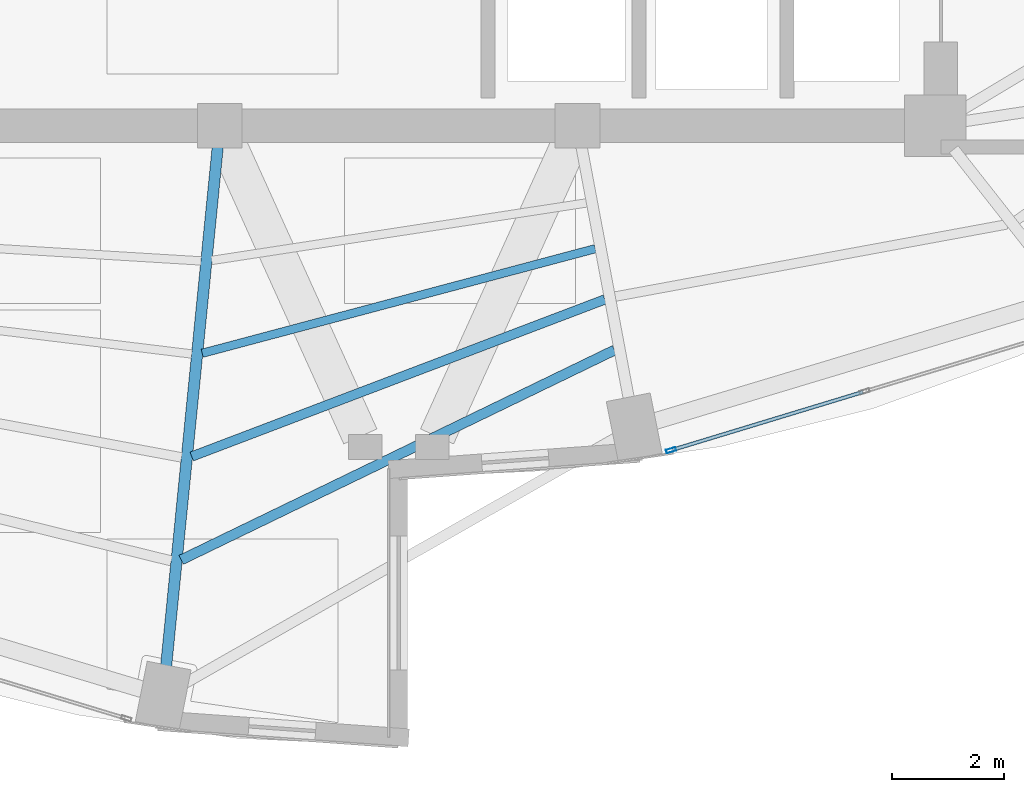
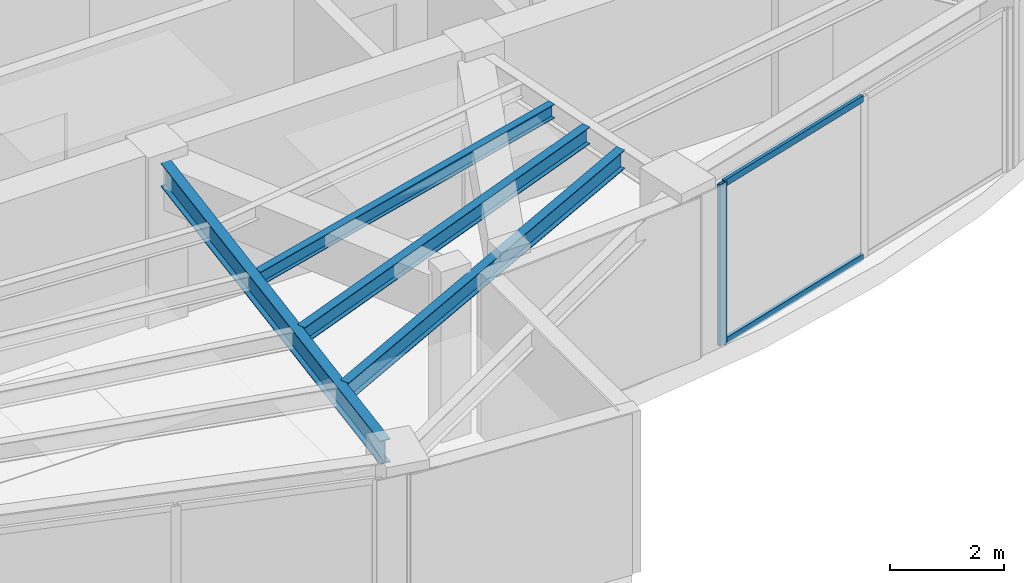
# One storey, part 6 of 23: 4 beams, 3 members, 1 element without a shape of its own.
"""IFC4 building model written with IfcOpenShell, lengths in metres."""

import ifcopenshell
import ifcopenshell.guid

model = None  # the IFC model being written
_history = None  # IfcOwnerHistory: only IFC2X3 demands one
_inside = {}  # id of a spatial element -> (the spatial element, [elements in it])
_under = {}  # id of a project, library or spatial element -> (it, [spatial elements below it])
_declared = {}  # id of a project -> (the project, [libraries it declares])
_typed = {}  # id of a type object -> (the type object, [elements of that type])
_made_of = {}  # id of a material, layer set ... -> (it, [elements and type objects made of it])


def new_model(schema):
    """Start an empty IFC model of exactly this schema.

    Asked for "IFC4X3", IfcOpenShell would pick the latest addendum, in which some entities
    have other attributes; the version numbers below select the first issue.
    IFC2X3 requires an IfcOwnerHistory on every rooted entity: one is made here for all.
    """
    global model, _history
    if schema == "IFC4X3":
        model = ifcopenshell.file(schema_version=(4, 3, 0, 0))
    else:
        model = ifcopenshell.file(schema=schema)
    _inside.clear()
    _under.clear()
    _declared.clear()
    _typed.clear()
    _made_of.clear()
    _history = None
    if model.schema == "IFC2X3":
        org = make("IfcOrganization", Name="unknown")
        user = make(
            "IfcPersonAndOrganization",
            ThePerson=make("IfcPerson", FamilyName="unknown"),
            TheOrganization=org,
        )
        app = make(
            "IfcApplication",
            ApplicationDeveloper=org,
            Version="unknown",
            ApplicationFullName="unknown",
            ApplicationIdentifier="unknown",
        )
        _history = make(
            "IfcOwnerHistory",
            OwningUser=user,
            OwningApplication=app,
            ChangeAction="ADDED",
            CreationDate=0,
        )
    return model


def make(cls, **values):
    """One entity of the class cls with the attributes given. An attribute that is None is left unset."""
    return model.create_entity(
        cls, **{name: value for name, value in values.items() if value is not None}
    )


def rooted(cls, **values):
    """An entity with a GlobalId (a new one), such as an element, a storey or a relation."""
    return make(cls, GlobalId=ifcopenshell.guid.new(), OwnerHistory=_history, **values)


def si_unit(unit_type, name, prefix=None):
    """IfcSIUnit, for example si_unit("LENGTHUNIT", "METRE", prefix="MILLI")."""
    return make("IfcSIUnit", UnitType=unit_type, Prefix=prefix, Name=name)


def assignment(units):
    """IfcUnitAssignment: the units of a project."""
    return None if units is None else make("IfcUnitAssignment", Units=units)


def point(xyz):
    """IfcCartesianPoint."""
    return None if xyz is None else make("IfcCartesianPoint", Coordinates=xyz)


def direction(xyz):
    """IfcDirection."""
    return None if xyz is None else make("IfcDirection", DirectionRatios=xyz)


def frame(location, z_axis=None, x_axis=None):
    """IfcAxis2Placement3D, a coordinate frame: its origin and axes. An axis left out is left unset."""
    return make(
        "IfcAxis2Placement3D",
        Location=point(location),
        Axis=direction(z_axis),
        RefDirection=direction(x_axis),
    )


def frame_2d(location, x_axis=None):
    """IfcAxis2Placement2D, a coordinate frame in the plane: its origin and x axis."""
    return make(
        "IfcAxis2Placement2D", Location=point(location), RefDirection=direction(x_axis)
    )


def origin():
    """The frame at (0, 0, 0) with its axes left unset."""
    return frame((0.0, 0.0, 0.0))


def origin_2d():
    """The frame at (0, 0) in the plane with its x axis left unset."""
    return frame_2d((0.0, 0.0))


def place(relative_to, where):
    """IfcLocalPlacement: puts the frame where relative to a parent placement (None: the world)."""
    return make(
        "IfcLocalPlacement", PlacementRelTo=relative_to, RelativePlacement=where
    )


def context(
    kind, dimensions, precision=None, world=None, true_north=None, identifier=None
):
    """IfcGeometricRepresentationContext, for example the 3D "Model" context."""
    return make(
        "IfcGeometricRepresentationContext",
        ContextIdentifier=identifier,
        ContextType=kind,
        CoordinateSpaceDimension=dimensions,
        Precision=precision,
        WorldCoordinateSystem=world,
        TrueNorth=true_north,
    )


def subcontext(parent, identifier, kind, view, scale=None):
    """IfcGeometricRepresentationSubContext, for example "Body" below "Model"."""
    return make(
        "IfcGeometricRepresentationSubContext",
        ContextIdentifier=identifier,
        ContextType=kind,
        ParentContext=parent,
        TargetScale=scale,
        TargetView=view,
    )


def project(units=None, contexts=None):
    """IfcProject with its units and contexts."""
    return rooted(
        "IfcProject",
        Name="project",
        RepresentationContexts=contexts,
        UnitsInContext=assignment(units),
    )


def spatial(cls, under=None, at=None, **own):
    """A site, building, storey or space (cls), placed at a placement, below another one or the project."""
    s = rooted(cls, ObjectPlacement=at, **own)
    if under is not None:
        _under.setdefault(under.id(), (under, []))[1].append(s)
    return s


def profile(cls, at=None, kind="AREA", **sizes):
    """A parametric profile (cls). Its sizes go by their IFC names, for example OverallWidth=200.0."""
    return make(cls, ProfileType=kind, Position=at, **sizes)


def hollow_rectangle(**sizes):
    """IfcRectangleHollowProfileDef."""
    return profile("IfcRectangleHollowProfileDef", **sizes)


def i_section(**sizes):
    """IfcIShapeProfileDef."""
    return profile("IfcIShapeProfileDef", **sizes)


def extrude(swept, where, along, depth):
    """IfcExtrudedAreaSolid: the profile swept, set in the frame where, extruded along a direction by depth."""
    return make(
        "IfcExtrudedAreaSolid",
        SweptArea=swept,
        Position=where,
        ExtrudedDirection=direction(along),
        Depth=depth,
    )


def shape(context_of_items, identifier, shape_type, items):
    """IfcShapeRepresentation: the items that make up one representation, for example the "Body"."""
    return make(
        "IfcShapeRepresentation",
        ContextOfItems=context_of_items,
        RepresentationIdentifier=identifier,
        RepresentationType=shape_type,
        Items=items,
    )


def material(Name=None, Category=None):
    """IfcMaterial."""
    return make("IfcMaterial", Name=Name, Category=Category)


def layer(
    of_material, thickness, ventilated=None, Name=None, Category=None, Priority=None
):
    """IfcMaterialLayer: one layer of a wall or slab, of a material (None: an air gap)."""
    return make(
        "IfcMaterialLayer",
        Material=of_material,
        LayerThickness=thickness,
        IsVentilated=ventilated,
        Name=Name,
        Category=Category,
        Priority=Priority,
    )


def layer_set(layers, Name=None):
    """IfcMaterialLayerSet."""
    return make("IfcMaterialLayerSet", MaterialLayers=layers, LayerSetName=Name)


def material_profile(
    of_material, cross_section, Name=None, Category=None, Priority=None
):
    """IfcMaterialProfile: a cross section and its material."""
    return make(
        "IfcMaterialProfile",
        Name=Name,
        Material=of_material,
        Profile=cross_section,
        Priority=Priority,
        Category=Category,
    )


def profile_set(profiles, Name=None, composite=None):
    """IfcMaterialProfileSet."""
    return make(
        "IfcMaterialProfileSet",
        Name=Name,
        MaterialProfiles=profiles,
        CompositeProfile=composite,
    )


def made_of(thing, what):
    """Note that an element or type object is made of a material, layer set ...; save() writes the relation."""
    if what is not None:
        _made_of.setdefault(what.id(), (what, []))[1].append(thing)
    return thing


def type_object(cls, material=None, **own):
    """A type object (cls), such as IfcWallType, which elements share."""
    return made_of(rooted(cls, **own), material)


def element(
    cls,
    number,
    at=None,
    inside=None,
    cuts=None,
    type_object=None,
    material=None,
    context=None,
    identifier="Body",
    shape_type=None,
    held_by="IfcProductDefinitionShape",
    body=None,
    shapes=None,
    **own,
):
    """One element of the class cls, such as IfcWall. Its Tag is "e" and its number.

    at: its placement. inside: the storey or other place that contains it. cuts: it is an
    opening in that element (IfcRelVoidsElement). A single representation is given by context,
    identifier, shape_type and body (its items); several are given by shapes. held_by: the class
    of the entity that holds the representations. save() writes the other relations.
    """
    e = rooted(cls, Tag="e%d" % number, ObjectPlacement=at, **own)
    if body is not None:
        shapes = [shape(context, identifier, shape_type, body)]
    if shapes is not None:
        e.Representation = make(held_by, Representations=shapes)
    if inside is not None:
        _inside.setdefault(inside.id(), (inside, []))[1].append(e)
    if cuts is not None:
        rooted(
            "IfcRelVoidsElement", RelatingBuildingElement=cuts, RelatedOpeningElement=e
        )
    if type_object is not None:
        _typed.setdefault(type_object.id(), (type_object, []))[1].append(e)
    return made_of(e, material)


def aggregate(whole, parts):
    """IfcRelAggregates: a whole, such as a stair, and the parts it consists of."""
    return rooted("IfcRelAggregates", RelatingObject=whole, RelatedObjects=parts)


def save(model, path):
    """Write the relations noted so far, then the file.

    IfcRelAggregates (storeys below a building ...), IfcRelContainedInSpatialStructure (elements
    in a storey), IfcRelDefinesByType, IfcRelAssociatesMaterial and IfcRelDeclares: one each for
    every whole, place, type object, material and project.
    """
    for whole, parts in _under.values():
        aggregate(whole, parts)
    for where, things in _inside.values():
        rooted(
            "IfcRelContainedInSpatialStructure",
            RelatedElements=things,
            RelatingStructure=where,
        )
    for kind, things in _typed.values():
        rooted("IfcRelDefinesByType", RelatedObjects=things, RelatingType=kind)
    for what, things in _made_of.values():
        rooted("IfcRelAssociatesMaterial", RelatedObjects=things, RelatingMaterial=what)
    for by, libraries in _declared.values():
        rooted("IfcRelDeclares", RelatingContext=by, RelatedDefinitions=libraries)
    model.write(path)


model = new_model("IFC4")

# Units and contexts
model_context = context("Model", 3, precision=1e-05, world=origin(), true_north=direction((0.0, 1.0)))
body_context = subcontext(model_context, "Body", "Model", "MODEL_VIEW")
ifc_project = project(units=[si_unit("LENGTHUNIT", "METRE"), si_unit("AREAUNIT", "SQUARE_METRE"), si_unit("VOLUMEUNIT", "CUBIC_METRE"), si_unit("PLANEANGLEUNIT", "RADIAN"), si_unit("MASSUNIT", "GRAM", prefix="KILO")], contexts=[model_context])

# Site, building, storey
site_placement = place(None, origin())
site = spatial("IfcSite", under=ifc_project, at=site_placement, CompositionType="ELEMENT")
building_placement = place(site_placement, origin())
building = spatial("IfcBuilding", under=site, at=building_placement, Name="Lazwardi Medical Tower", CompositionType="ELEMENT")
storey_placement = place(building_placement, frame((0.0, 0.0, 194.83203125)))
storey = spatial("IfcBuildingStorey", under=building, at=storey_placement, Name="L50", CompositionType="ELEMENT", Elevation=194.83203125)

# Beams
ifc_material_1 = material(Name="Steel S355", Category="steel")
ifc_material_profile_1 = material_profile(ifc_material_1, i_section(OverallWidth=0.199951171875, OverallDepth=0.5, WebThickness=0.01025390625, FlangeThickness=0.01611328125, at=origin_2d()), Name="IPE 500")
ifc_profile_set_1 = profile_set([ifc_material_profile_1], Name="Steel S355")
beam_type_1 = type_object("IfcBeamType", Name="BM-RG-W3", PredefinedType="BEAM", material=ifc_profile_set_1)
beam_1_placement = place(storey_placement, frame((31.8388671875, 10.734130859375, 3.197998046875), z_axis=(0.098954361922, 0.995091972763, 0.0), x_axis=(-0.995091972763, 0.098954361922, 0.0)))
element("IfcBeam", 1, at=beam_1_placement, inside=storey, type_object=beam_type_1, Name="Radial girder RG-04 R16 L50", PredefinedType="BEAM", context=body_context, shape_type="SweptSolid", body=[
    extrude(i_section(OverallWidth=0.199951171875, OverallDepth=0.5, WebThickness=0.01025390625, FlangeThickness=0.01611328125, at=origin_2d()), origin(), (0.0, 0.0, 1.0), 9.32861328125),
])
ifc_material_profile_2 = material_profile(ifc_material_1, i_section(OverallWidth=0.179931640625, OverallDepth=0.39990234375, WebThickness=0.008544921875, FlangeThickness=0.013427734375, at=origin_2d()), Name="IPE 400")
ifc_profile_set_2 = profile_set([ifc_material_profile_2], Name="Steel S355")
beam_type_2 = type_object("IfcBeamType", Name="BM-SJ-01", PredefinedType="JOIST", material=ifc_profile_set_2)
beam_2_placement = place(storey_placement, frame((32.10888671875, 12.632080078125, 3.248046875), z_axis=(0.900068885459, 0.435747635024, 0.0), x_axis=(-0.435747635024, 0.900068885459, 0.0)))
element("IfcBeam", 2, at=beam_2_placement, inside=storey, type_object=beam_type_2, Name="Secondary joist SJ-01 R1 B16 L50", PredefinedType="JOIST", context=body_context, shape_type="SweptSolid", body=[
    extrude(i_section(OverallWidth=0.179931640625, OverallDepth=0.39990234375, WebThickness=0.008544921875, FlangeThickness=0.013427734375, at=origin_2d()), origin(), (0.0, 0.0, 1.0), 8.612548828125),
])
ifc_material_profile_3 = material_profile(ifc_material_1, i_section(OverallWidth=0.169921875, OverallDepth=0.360107421875, WebThickness=0.008056640625, FlangeThickness=0.0126953125, at=origin_2d()), Name="IPE 360")
ifc_profile_set_3 = profile_set([ifc_material_profile_3], Name="Steel S355")
beam_type_3 = type_object("IfcBeamType", Name="BM-SJ-02", PredefinedType="JOIST", material=ifc_profile_set_3)
beam_3_placement = place(storey_placement, frame((32.296875, 14.48095703125, 3.26806640625), z_axis=(0.934714470268, 0.355399576633, 0.0), x_axis=(-0.355399576633, 0.934714470268, 0.0)))
element("IfcBeam", 3, at=beam_3_placement, inside=storey, type_object=beam_type_3, Name="Secondary joist SJ-02 R2 B16 L50", PredefinedType="JOIST", context=body_context, shape_type="SweptSolid", body=[
    extrude(i_section(OverallWidth=0.169921875, OverallDepth=0.360107421875, WebThickness=0.008056640625, FlangeThickness=0.0126953125, at=origin_2d()), origin(), (0.0, 0.0, 1.0), 7.908203125),
])
ifc_material_profile_4 = material_profile(ifc_material_1, i_section(OverallWidth=0.14990234375, OverallDepth=0.300048828125, WebThickness=0.007080078125, FlangeThickness=0.0107421875, at=origin_2d()), Name="IPE 300")
ifc_profile_set_4 = profile_set([ifc_material_profile_4], Name="Steel S355")
beam_type_4 = type_object("IfcBeamType", Name="BM-SJ-03", PredefinedType="JOIST", material=ifc_profile_set_4)
beam_4_placement = place(storey_placement, frame((32.484619140625, 16.328125, 3.2978515625), z_axis=(0.966369007826, 0.257159368316, 0.0), x_axis=(-0.257159368316, 0.966369007826, 0.0)))
element("IfcBeam", 4, at=beam_4_placement, inside=storey, type_object=beam_type_4, Name="Secondary joist SJ-03 R3 B16 L50", PredefinedType="JOIST", context=body_context, shape_type="SweptSolid", body=[
    extrude(i_section(OverallWidth=0.14990234375, OverallDepth=0.300048828125, WebThickness=0.007080078125, FlangeThickness=0.0107421875, at=origin_2d()), origin(), (0.0, 0.0, 1.0), 7.27685546875),
])

# Curtain wall, members
ifc_material_2 = material(Name="Anodised bronze aluminium and solar control glazing", Category="aluminium")
ifc_layer = layer(ifc_material_2, 0.18994140625)
ifc_layer_set = layer_set([ifc_layer], Name="Anodised bronze aluminium and solar control glazing")
curtain_wall_type = type_object("IfcCurtainWallType", Name="CW-SYS-04", PredefinedType="NOTDEFINED", material=ifc_layer_set)
curtain_wall_placement = place(storey_placement, origin())
curtain_wall = element("IfcCurtainWall", 5, at=curtain_wall_placement, inside=storey, type_object=curtain_wall_type, Name="L50 Unitised bronze curtain wall CW-04", PredefinedType="NOTDEFINED")
ifc_material_3 = material(Name="Anodised bronze aluminium", Category="aluminium")
ifc_material_profile_5 = material_profile(ifc_material_3, hollow_rectangle(XDim=0.06494140625, YDim=0.179931640625, WallThickness=0.00390625, at=origin_2d()), Name="ALU-MULLION 180x65x4")
ifc_profile_set_5 = profile_set([ifc_material_profile_5], Name="Anodised bronze aluminium")
member_type_1 = type_object("IfcMemberType", Name="CW-MUL-03", PredefinedType="MULLION", material=ifc_profile_set_5)
member_1_placement = place(storey_placement, frame((40.873046875, 14.593017578125, 0.0), z_axis=(0.0, 0.0, 1.0), x_axis=(-0.290581889515, 0.956850126972, 0.0)))
member_1 = element("IfcMember", 6, at=member_1_placement, type_object=member_type_1, Name="CW-04 mullion 1", PredefinedType="MULLION", context=body_context, shape_type="SweptSolid", body=[
    extrude(hollow_rectangle(XDim=0.06494140625, YDim=0.179931640625, WallThickness=0.00390625, at=origin_2d()), origin(), (0.0, 0.0, 1.0), 3.447998046875),
])
ifc_material_profile_6 = material_profile(ifc_material_3, hollow_rectangle(XDim=0.06494140625, YDim=0.139892578125, WallThickness=0.00341796875, at=origin_2d()), Name="ALU-TRANSOM 140x65x3.5")
ifc_profile_set_6 = profile_set([ifc_material_profile_6], Name="Anodised bronze aluminium")
member_type_2 = type_object("IfcMemberType", Name="CW-TRN-03", PredefinedType="USERDEFINED", material=ifc_profile_set_6)
member_2_placement = place(storey_placement, frame((40.904296875, 14.602294921875, 0.032470703125), z_axis=(0.956843409009, 0.290604010015, 0.0), x_axis=(-0.290604010015, 0.956843409009, 0.0)))
member_2 = element("IfcMember", 7, at=member_2_placement, type_object=member_type_2, Name="CW-04 transom 1.1", ObjectType="TRANSOM", PredefinedType="USERDEFINED", context=body_context, shape_type="SweptSolid", body=[
    extrude(hollow_rectangle(XDim=0.06494140625, YDim=0.139892578125, WallThickness=0.00341796875, at=origin_2d()), origin(), (0.0, 0.0, 1.0), 3.554443359375),
])
member_3_placement = place(storey_placement, frame((40.904296875, 14.602294921875, 3.41552734375), z_axis=(0.956843409009, 0.290604010015, 0.0), x_axis=(-0.290604010015, 0.956843409009, 0.0)))
member_3 = element("IfcMember", 8, at=member_3_placement, type_object=member_type_2, Name="CW-04 transom 1.2", ObjectType="TRANSOM", PredefinedType="USERDEFINED", context=body_context, shape_type="SweptSolid", body=[
    extrude(hollow_rectangle(XDim=0.06494140625, YDim=0.139892578125, WallThickness=0.00341796875, at=origin_2d()), origin(), (0.0, 0.0, 1.0), 3.554443359375),
])
aggregate(curtain_wall, [member_1, member_2, member_3])

save(model, "model.ifc")
